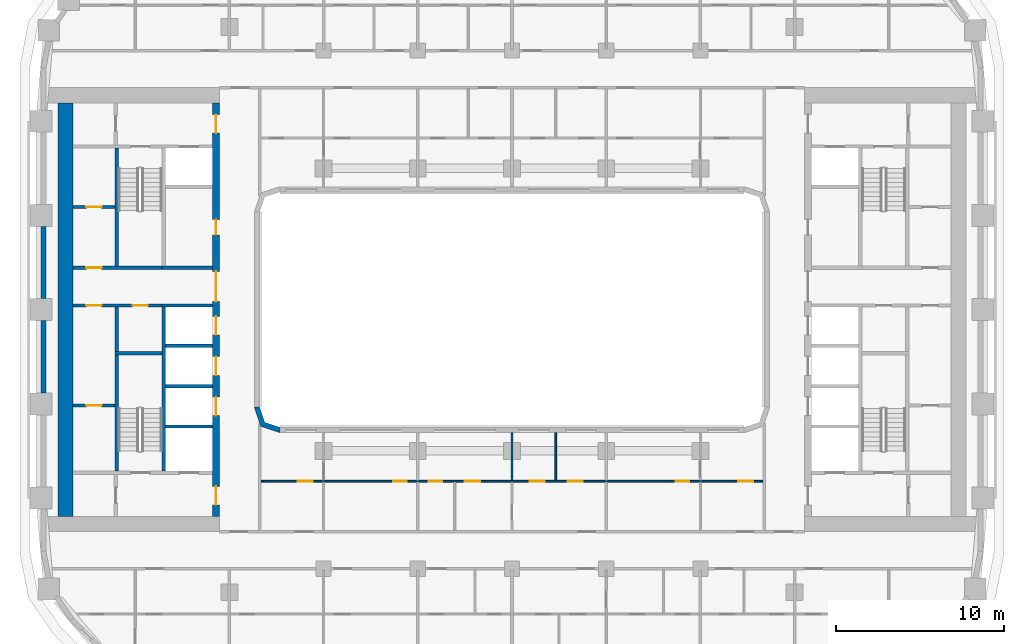
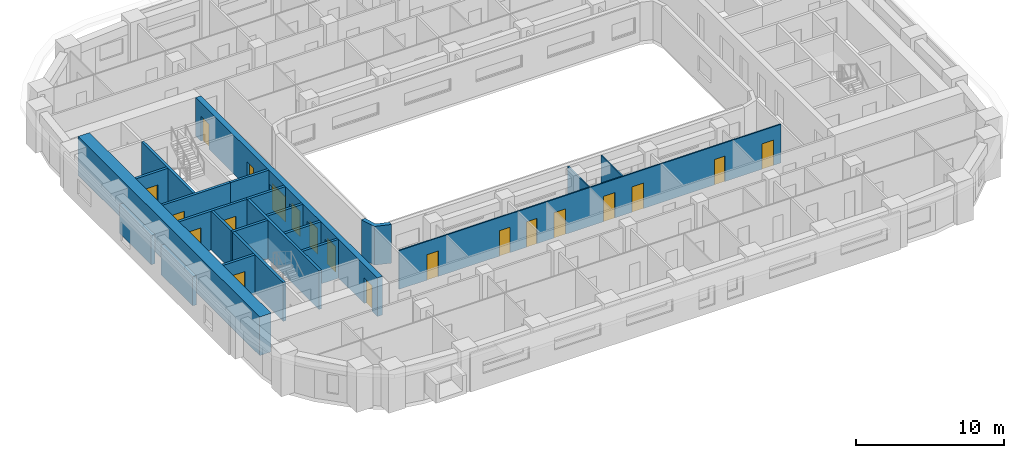
# One storey, part 4 of 21: 22 walls, 20 doors, 20 openings.
"""IFC4 building model written with IfcOpenShell, lengths in metres."""

from ifc_helpers import new_model, si_unit, direction, frame, frame_2d, origin, place, context, subcontext, project, spatial, polyline, rectangle, outline, extrude, material, layer, layer_set, type_object, element, fill, save


model = new_model("IFC4")

# Units and contexts
model_context = context("Model", 3, precision=1e-05, world=origin(), true_north=direction((0.0, 1.0)))
body_context = subcontext(model_context, "Body", "Model", "MODEL_VIEW")
ifc_project = project(units=[si_unit("LENGTHUNIT", "METRE"), si_unit("AREAUNIT", "SQUARE_METRE"), si_unit("VOLUMEUNIT", "CUBIC_METRE"), si_unit("PLANEANGLEUNIT", "RADIAN"), si_unit("MASSUNIT", "GRAM", prefix="KILO")], contexts=[model_context])

# Site, building, storey
site_placement = place(None, origin())
site = spatial("IfcSite", under=ifc_project, at=site_placement, CompositionType="ELEMENT")
building_placement = place(site_placement, origin())
building = spatial("IfcBuilding", under=site, at=building_placement, Name="Kiln Ring Residences", CompositionType="ELEMENT")
storey_placement = place(building_placement, frame((0.0, 0.0, 93.800048828125)))
storey = spatial("IfcBuildingStorey", under=building, at=storey_placement, Name="L23", CompositionType="ELEMENT", Elevation=93.800048828125)

# Wall
ifc_material_1 = material(Name="Gypsum board on steel studs", Category="steel")
ifc_layer_1 = layer(ifc_material_1, 0.199951171875)
ifc_layer_set_1 = layer_set([ifc_layer_1], Name="CORE-PARTITION-200")
wall_type_1 = type_object("IfcWallType", Name="CORE-PARTITION-200", PredefinedType="PARTITIONING", material=ifc_layer_set_1)
wall_1_placement = place(storey_placement, frame((-23.5, -2.5, 0.0), z_axis=(0.0, 0.0, 1.0), x_axis=(0.0, 1.0, 0.0)))
element("IfcWall", 1, at=wall_1_placement, inside=storey, type_object=wall_type_1, Name="Core partition west L23 1", PredefinedType="PARTITIONING", context=body_context, shape_type="SweptSolid", body=[
    extrude(rectangle(XDim=2.64990234375, YDim=0.199951171875, at=frame_2d((1.324951171875, 0.0))), origin(), (0.0, 0.0, 1.0), 3.199951171875),
])

# Wall, openings, doors
wall_2_placement = place(storey_placement, frame((-20.800048828125, 0.25, 0.0), z_axis=(0.0, 0.0, 1.0), x_axis=(-1.0, 0.0, 0.0)))
wall_2 = element("IfcWall", 2, at=wall_2_placement, inside=storey, type_object=wall_type_1, Name="Core partition west L23 2", PredefinedType="PARTITIONING", context=body_context, shape_type="SweptSolid", body=[
    extrude(rectangle(XDim=5.300048828125, YDim=0.199951171875, at=frame_2d((2.64990234375, 0.0))), origin(), (0.0, 0.0, 1.0), 3.199951171875),
])
opening_1_placement = place(wall_2_placement, frame((0.85009765625, 0.0, 0.0)))
opening_1 = element("IfcOpeningElement", 3, at=opening_1_placement, cuts=wall_2, Name="Opening L23-CW14", PredefinedType="OPENING", context=body_context, shape_type="SweptSolid", body=[
    extrude(rectangle(XDim=0.89990234375, YDim=2.10009765625, at=frame_2d((0.449951171875, 1.050048828125))), frame((0.0, 0.10986328125, 0.0), z_axis=(0.0, -1.0, 0.0), x_axis=(1.0, 0.0, 0.0)), (0.0, 0.0, 1.0), 0.219970703125),
])
opening_2_placement = place(wall_2_placement, frame((3.60009765625, 0.0, 0.0)))
opening_2 = element("IfcOpeningElement", 4, at=opening_2_placement, cuts=wall_2, Name="Opening L23-CW16", PredefinedType="OPENING", context=body_context, shape_type="SweptSolid", body=[
    extrude(rectangle(XDim=0.89990234375, YDim=2.10009765625, at=frame_2d((0.449951171875, 1.050048828125))), frame((0.0, 0.10986328125, 0.0), z_axis=(0.0, -1.0, 0.0), x_axis=(1.0, 0.0, 0.0)), (0.0, 0.0, 1.0), 0.219970703125),
])
ifc_material_2 = material(Name="Steel door leaf", Category="steel")
door_type_1 = type_object("IfcDoorType", Name="CORE-DOOR-ROOM", OperationType="SINGLE_SWING_LEFT", PredefinedType="DOOR", material=ifc_material_2)
door_1_placement = place(opening_1_placement, origin())
door_1 = element("IfcDoor", 5, at=door_1_placement, inside=storey, type_object=door_type_1, Name="Housekeeping store L23-CW14", OperationType="SINGLE_SWING_RIGHT", OverallHeight=2.10009765625, OverallWidth=0.89990234375, PredefinedType="DOOR", context=body_context, shape_type="SweptSolid", body=[
    extrude(rectangle(XDim=0.89990234375, YDim=2.10009765625, at=frame_2d((0.449951171875, 1.050048828125))), frame((0.0, 0.02490234375, 0.0), z_axis=(0.0, -1.0, 0.0), x_axis=(1.0, 0.0, 0.0)), (0.0, 0.0, 1.0), 0.050048828125),
])
fill(opening_1, door_1)
door_2_placement = place(opening_2_placement, origin())
door_2 = element("IfcDoor", 6, at=door_2_placement, inside=storey, type_object=door_type_1, Name="Battery room L23-CW16", OperationType="SINGLE_SWING_RIGHT", OverallHeight=2.10009765625, OverallWidth=0.89990234375, PredefinedType="DOOR", context=body_context, shape_type="SweptSolid", body=[
    extrude(rectangle(XDim=0.89990234375, YDim=2.10009765625, at=frame_2d((0.449951171875, 1.050048828125))), frame((0.0, 0.02490234375, 0.0), z_axis=(0.0, -1.0, 0.0), x_axis=(1.0, 0.0, 0.0)), (0.0, 0.0, 1.0), 0.050048828125),
])
fill(opening_2, door_2)

# Wall, opening, door
wall_3_placement = place(storey_placement, frame((-23.60009765625, -5.699951171875, 0.0), z_axis=(0.0, 0.0, 1.0), x_axis=(-1.0, 0.0, 0.0)))
wall_3 = element("IfcWall", 7, at=wall_3_placement, inside=storey, type_object=wall_type_1, Name="Core partition west L23 5", PredefinedType="PARTITIONING", context=body_context, shape_type="SweptSolid", body=[
    extrude(rectangle(XDim=2.5, YDim=0.199951171875, at=frame_2d((1.25, 0.0))), origin(), (0.0, 0.0, 1.0), 3.199951171875),
])
opening_3_placement = place(wall_3_placement, frame((0.800048828125, 0.0, 0.0)))
opening_3 = element("IfcOpeningElement", 8, at=opening_3_placement, cuts=wall_3, Name="Opening L23-CW15", PredefinedType="OPENING", context=body_context, shape_type="SweptSolid", body=[
    extrude(rectangle(XDim=0.89990234375, YDim=2.10009765625, at=frame_2d((0.449951171875, 1.050048828125))), frame((0.0, 0.10986328125, 0.0), z_axis=(0.0, -1.0, 0.0), x_axis=(1.0, 0.0, 0.0)), (0.0, 0.0, 1.0), 0.219970703125),
])
door_3_placement = place(opening_3_placement, origin())
door_3 = element("IfcDoor", 9, at=door_3_placement, inside=storey, type_object=door_type_1, Name="Battery room L23-CW15", OperationType="SINGLE_SWING_RIGHT", OverallHeight=2.10009765625, OverallWidth=0.89990234375, PredefinedType="DOOR", context=body_context, shape_type="SweptSolid", body=[
    extrude(rectangle(XDim=0.89990234375, YDim=2.10009765625, at=frame_2d((0.449951171875, 1.050048828125))), frame((0.0, 0.02490234375, 0.0), z_axis=(0.0, -1.0, 0.0), x_axis=(1.0, 0.0, 0.0)), (0.0, 0.0, 1.0), 0.050048828125),
])
fill(opening_3, door_3)

wall_4_placement = place(storey_placement, frame((-23.60009765625, 6.10009765625, 0.0), z_axis=(0.0, 0.0, 1.0), x_axis=(-1.0, 0.0, 0.0)))
wall_4 = element("IfcWall", 10, at=wall_4_placement, inside=storey, type_object=wall_type_1, Name="Core partition west L23 6", PredefinedType="PARTITIONING", context=body_context, shape_type="SweptSolid", body=[
    extrude(rectangle(XDim=2.5, YDim=0.199951171875, at=frame_2d((1.25, 0.0))), origin(), (0.0, 0.0, 1.0), 3.199951171875),
])
opening_4_placement = place(wall_4_placement, frame((0.800048828125, 0.0, 0.0)))
opening_4 = element("IfcOpeningElement", 11, at=opening_4_placement, cuts=wall_4, Name="Opening L23-CW17", PredefinedType="OPENING", context=body_context, shape_type="SweptSolid", body=[
    extrude(rectangle(XDim=0.89990234375, YDim=2.10009765625, at=frame_2d((0.449951171875, 1.050048828125))), frame((0.0, 0.10986328125, 0.0), z_axis=(0.0, -1.0, 0.0), x_axis=(1.0, 0.0, 0.0)), (0.0, 0.0, 1.0), 0.219970703125),
])
door_4_placement = place(opening_4_placement, origin())
door_4 = element("IfcDoor", 12, at=door_4_placement, inside=storey, type_object=door_type_1, Name="Electrical plant room L23-CW17", OperationType="SINGLE_SWING_RIGHT", OverallHeight=2.10009765625, OverallWidth=0.89990234375, PredefinedType="DOOR", context=body_context, shape_type="SweptSolid", body=[
    extrude(rectangle(XDim=0.89990234375, YDim=2.10009765625, at=frame_2d((0.449951171875, 1.050048828125))), frame((0.0, 0.02490234375, 0.0), z_axis=(0.0, -1.0, 0.0), x_axis=(1.0, 0.0, 0.0)), (0.0, 0.0, 1.0), 0.050048828125),
])
fill(opening_4, door_4)

# Walls
ifc_material_3 = material(Name="Gypsum shaft wall system")
ifc_layer_2 = layer(ifc_material_3, 0.199951171875)
ifc_layer_set_2 = layer_set([ifc_layer_2], Name="CORE-SHAFT-WALL-200")
wall_type_2 = type_object("IfcWallType", Name="CORE-SHAFT-WALL-200", PredefinedType="PARTITIONING", material=ifc_layer_set_2)
for number, where, z_axis, x_axis, name in (
    (13, (-17.800048828125, -6.949951171875, 0.0), (0.0, 0.0, 1.0), (-1.0, 0.0, 0.0), "Core partition west L23 7"),
    (14, (-17.800048828125, -4.550048828125, 0.0), (0.0, 0.0, 1.0), (-1.0, 0.0, 0.0), "Core partition west L23 8"),
    (15, (-17.800048828125, -2.14990234375, 0.0), (0.0, 0.0, 1.0), (-1.0, 0.0, 0.0), "Core partition west L23 9"),
):
    element("IfcWall", number, at=place(storey_placement, frame(where, z_axis=z_axis, x_axis=x_axis)), inside=storey, type_object=wall_type_2, Name=name, PredefinedType="PARTITIONING", context=body_context, shape_type="SweptSolid", body=[
        extrude(rectangle(XDim=2.800048828125, YDim=0.199951171875, at=frame_2d((1.39990234375, 0.0))), origin(), (0.0, 0.0, 1.0), 3.199951171875),
    ])
for number, where, z_axis, x_axis, name in (
    (16, (-17.800048828125, 0.25, 0.0), (0.0, 0.0, 1.0), (-1.0, 0.0, 0.0), "Core partition west L23 10"),
    (17, (-17.800048828125, 2.5, 0.0), (0.0, 0.0, 1.0), (-1.0, 0.0, 0.0), "Core partition west L23 11"),
):
    element("IfcWall", number, at=place(storey_placement, frame(where, z_axis=z_axis, x_axis=x_axis)), inside=storey, type_object=wall_type_2, Name=name, PredefinedType="PARTITIONING", context=body_context, shape_type="SweptSolid", body=[
        extrude(rectangle(XDim=3.0, YDim=0.199951171875, at=frame_2d((1.5, 0.0))), origin(), (0.0, 0.0, 1.0), 3.199951171875),
    ])
ifc_material_4 = material(Name="Concrete C40/50", Category="concrete")
ifc_layer_3 = layer(ifc_material_4, 0.199951171875)
ifc_layer_set_3 = layer_set([ifc_layer_3], Name="CORE-WALL-RC200")
wall_type_3 = type_object("IfcWallType", Name="CORE-WALL-RC200", PredefinedType="SHEAR", material=ifc_layer_set_3)
wall_5_placement = place(storey_placement, frame((-20.699951171875, -9.60009765625, 0.0), z_axis=(0.0, 0.0, 1.0), x_axis=(0.0, 1.0, 0.0)))
element("IfcWall", 18, at=wall_5_placement, inside=storey, type_object=wall_type_3, Name="Core wall west L23 2", PredefinedType="SHEAR", context=body_context, shape_type="SweptSolid", body=[
    extrude(rectangle(XDim=9.75, YDim=0.199951171875, at=frame_2d((4.875, 0.0))), origin(), (0.0, 0.0, 1.0), 3.199951171875),
])

# Wall, opening, door
wall_6_placement = place(storey_placement, frame((-20.800048828125, 2.5, 0.0), z_axis=(0.0, 0.0, 1.0), x_axis=(-1.0, 0.0, 0.0)))
wall_6 = element("IfcWall", 19, at=wall_6_placement, inside=storey, type_object=wall_type_3, Name="Core wall west L23 3", PredefinedType="SHEAR", context=body_context, shape_type="SweptSolid", body=[
    extrude(rectangle(XDim=5.300048828125, YDim=0.199951171875, at=frame_2d((2.64990234375, 0.0))), origin(), (0.0, 0.0, 1.0), 3.199951171875),
])
opening_5_placement = place(wall_6_placement, frame((3.60009765625, 0.0, 0.0)))
opening_5 = element("IfcOpeningElement", 20, at=opening_5_placement, cuts=wall_6, Name="Opening L23-CW18", PredefinedType="OPENING", context=body_context, shape_type="SweptSolid", body=[
    extrude(rectangle(XDim=0.89990234375, YDim=2.10009765625, at=frame_2d((0.449951171875, 1.050048828125))), frame((0.0, 0.10986328125, 0.0), z_axis=(0.0, -1.0, 0.0), x_axis=(1.0, 0.0, 0.0)), (0.0, 0.0, 1.0), 0.219970703125),
])
door_5_placement = place(opening_5_placement, origin())
door_5 = element("IfcDoor", 21, at=door_5_placement, inside=storey, type_object=door_type_1, Name="Comms room L23-CW18", OperationType="SINGLE_SWING_LEFT", OverallHeight=2.10009765625, OverallWidth=0.89990234375, PredefinedType="DOOR", context=body_context, shape_type="SweptSolid", body=[
    extrude(rectangle(XDim=0.89990234375, YDim=2.10009765625, at=frame_2d((0.449951171875, 1.050048828125))), frame((0.0, 0.02490234375, 0.0), z_axis=(0.0, -1.0, 0.0), x_axis=(1.0, 0.0, 0.0)), (0.0, 0.0, 1.0), 0.050048828125),
])
fill(opening_5, door_5)

# Walls
wall_7_placement = place(storey_placement, frame((-23.5, 2.60009765625, 0.0), z_axis=(0.0, 0.0, 1.0), x_axis=(0.0, 1.0, 0.0)))
element("IfcWall", 22, at=wall_7_placement, inside=storey, type_object=wall_type_3, Name="Core wall west L23 10", PredefinedType="SHEAR", context=body_context, shape_type="SweptSolid", body=[
    extrude(rectangle(XDim=7.0, YDim=0.199951171875, at=frame_2d((3.5, 0.0))), origin(), (0.0, 0.0, 1.0), 3.199951171875),
])
wall_8_placement = place(storey_placement, frame((-23.5, -9.60009765625, 0.0), z_axis=(0.0, 0.0, 1.0), x_axis=(0.0, 1.0, 0.0)))
element("IfcWall", 23, at=wall_8_placement, inside=storey, type_object=wall_type_3, Name="Core wall west L23 11", PredefinedType="SHEAR", context=body_context, shape_type="SweptSolid", body=[
    extrude(rectangle(XDim=6.900146484375, YDim=0.199951171875, at=frame_2d((3.4501953125, 0.0))), origin(), (0.0, 0.0, 1.0), 3.199951171875),
])
wall_9_placement = place(storey_placement, frame((-20.800048828125, -2.60009765625, 0.0), z_axis=(0.0, 0.0, 1.0), x_axis=(-1.0, 0.0, 0.0)))
element("IfcWall", 24, at=wall_9_placement, inside=storey, type_object=wall_type_3, Name="Core wall west L23 12", PredefinedType="SHEAR", context=body_context, shape_type="SweptSolid", body=[
    extrude(rectangle(XDim=2.800048828125, YDim=0.199951171875, at=frame_2d((1.39990234375, 0.0))), origin(), (0.0, 0.0, 1.0), 3.199951171875),
])

# Wall, openings, doors
ifc_material_5 = material(Name="Concrete C60/75", Category="concrete")
ifc_layer_4 = layer(ifc_material_5, 0.39990234375)
ifc_layer_set_4 = layer_set([ifc_layer_4], Name="CORE-WALL-RC400")
wall_type_4 = type_object("IfcWallType", Name="CORE-WALL-RC400", PredefinedType="SHEAR", material=ifc_layer_set_4)
wall_10_placement = place(storey_placement, frame((-17.60009765625, -12.300048828125, 0.0), z_axis=(0.0, 0.0, 1.0), x_axis=(0.0, 1.0, 0.0)))
wall_10 = element("IfcWall", 25, at=wall_10_placement, inside=storey, type_object=wall_type_4, Name="Core wall west L23 6", PredefinedType="SHEAR", context=body_context, shape_type="SweptSolid", body=[
    extrude(rectangle(XDim=24.60009765625, YDim=0.39990234375, at=frame_2d((12.300048828125, 0.0))), origin(), (0.0, 0.0, 1.0), 3.199951171875),
])
opening_6_placement = place(wall_10_placement, frame((6.0, 0.0, 0.0)))
opening_6 = element("IfcOpeningElement", 26, at=opening_6_placement, cuts=wall_10, Name="Opening L23-CW02", PredefinedType="OPENING", context=body_context, shape_type="SweptSolid", body=[
    extrude(rectangle(XDim=1.10009765625, YDim=2.10009765625, at=frame_2d((0.550048828125, 1.050048828125))), frame((0.0, 0.2099609375, 0.0), z_axis=(0.0, -1.0, 0.0), x_axis=(1.0, 0.0, 0.0)), (0.0, 0.0, 1.0), 0.419921875),
])
opening_7_placement = place(wall_10_placement, frame((8.39990234375, 0.0, 0.0)))
opening_7 = element("IfcOpeningElement", 27, at=opening_7_placement, cuts=wall_10, Name="Opening L23-CW03", PredefinedType="OPENING", context=body_context, shape_type="SweptSolid", body=[
    extrude(rectangle(XDim=1.10009765625, YDim=2.10009765625, at=frame_2d((0.550048828125, 1.050048828125))), frame((0.0, 0.2099609375, 0.0), z_axis=(0.0, -1.0, 0.0), x_axis=(1.0, 0.0, 0.0)), (0.0, 0.0, 1.0), 0.419921875),
])
opening_8_placement = place(wall_10_placement, frame((10.800048828125, 0.0, 0.0)))
opening_8 = element("IfcOpeningElement", 28, at=opening_8_placement, cuts=wall_10, Name="Opening L23-CW04", PredefinedType="OPENING", context=body_context, shape_type="SweptSolid", body=[
    extrude(rectangle(XDim=1.10009765625, YDim=2.10009765625, at=frame_2d((0.550048828125, 1.050048828125))), frame((0.0, 0.2099609375, 0.0), z_axis=(0.0, -1.0, 0.0), x_axis=(1.0, 0.0, 0.0)), (0.0, 0.0, 1.0), 0.419921875),
])
opening_9_placement = place(wall_10_placement, frame((16.75, 0.0, 0.0)))
opening_9 = element("IfcOpeningElement", 29, at=opening_9_placement, cuts=wall_10, Name="Opening L23-CW05", PredefinedType="OPENING", context=body_context, shape_type="SweptSolid", body=[
    extrude(rectangle(XDim=0.89990234375, YDim=2.10009765625, at=frame_2d((0.449951171875, 1.050048828125))), frame((0.0, 0.2099609375, 0.0), z_axis=(0.0, -1.0, 0.0), x_axis=(1.0, 0.0, 0.0)), (0.0, 0.0, 1.0), 0.419921875),
])
opening_10_placement = place(wall_10_placement, frame((22.800048828125, 0.0, 0.0)))
opening_10 = element("IfcOpeningElement", 30, at=opening_10_placement, cuts=wall_10, Name="Opening L23-CW07", PredefinedType="OPENING", context=body_context, shape_type="SweptSolid", body=[
    extrude(rectangle(XDim=1.10009765625, YDim=2.10009765625, at=frame_2d((0.550048828125, 1.050048828125))), frame((0.0, 0.2099609375, 0.0), z_axis=(0.0, -1.0, 0.0), x_axis=(1.0, 0.0, 0.0)), (0.0, 0.0, 1.0), 0.419921875),
])
opening_11_placement = place(wall_10_placement, frame((0.699951171875, 0.0, 0.0)))
opening_11 = element("IfcOpeningElement", 31, at=opening_11_placement, cuts=wall_10, Name="Opening L23-CW08", PredefinedType="OPENING", context=body_context, shape_type="SweptSolid", body=[
    extrude(rectangle(XDim=1.10009765625, YDim=2.10009765625, at=frame_2d((0.550048828125, 1.050048828125))), frame((0.0, 0.2099609375, 0.0), z_axis=(0.0, -1.0, 0.0), x_axis=(1.0, 0.0, 0.0)), (0.0, 0.0, 1.0), 0.419921875),
])
opening_12_placement = place(wall_10_placement, frame((12.77490234375, 0.0, 0.0)))
opening_12 = element("IfcOpeningElement", 32, at=opening_12_placement, cuts=wall_10, Name="Opening L23-CW13", PredefinedType="OPENING", context=body_context, shape_type="SweptSolid", body=[
    extrude(rectangle(XDim=1.800048828125, YDim=2.10009765625, at=frame_2d((0.89990234375, 1.050048828125))), frame((0.0, 0.2099609375, 0.0), z_axis=(0.0, -1.0, 0.0), x_axis=(1.0, 0.0, 0.0)), (0.0, 0.0, 1.0), 0.419921875),
])
ifc_material_6 = material(Name="Steel door leaf", Category="steel")
door_type_2 = type_object("IfcDoorType", Name="CORE-DOOR-LD", OperationType="DOUBLE_DOOR_SLIDING", PredefinedType="DOOR", material=ifc_material_6)
door_6_placement = place(opening_6_placement, origin())
door_6 = element("IfcDoor", 33, at=door_6_placement, inside=storey, type_object=door_type_2, Name="LD W-L1 L23-CW02", OperationType="DOUBLE_DOOR_SLIDING", OverallHeight=2.10009765625, OverallWidth=1.10009765625, PredefinedType="DOOR", context=body_context, shape_type="SweptSolid", body=[
    extrude(rectangle(XDim=1.10009765625, YDim=2.10009765625, at=frame_2d((0.550048828125, 1.050048828125))), frame((0.0, 0.02490234375, 0.0), z_axis=(0.0, -1.0, 0.0), x_axis=(1.0, 0.0, 0.0)), (0.0, 0.0, 1.0), 0.050048828125),
])
fill(opening_6, door_6)
door_7_placement = place(opening_7_placement, origin())
door_7 = element("IfcDoor", 34, at=door_7_placement, inside=storey, type_object=door_type_2, Name="LD W-L2 L23-CW03", OperationType="DOUBLE_DOOR_SLIDING", OverallHeight=2.10009765625, OverallWidth=1.10009765625, PredefinedType="DOOR", context=body_context, shape_type="SweptSolid", body=[
    extrude(rectangle(XDim=1.10009765625, YDim=2.10009765625, at=frame_2d((0.550048828125, 1.050048828125))), frame((0.0, 0.02490234375, 0.0), z_axis=(0.0, -1.0, 0.0), x_axis=(1.0, 0.0, 0.0)), (0.0, 0.0, 1.0), 0.050048828125),
])
fill(opening_7, door_7)
door_8_placement = place(opening_8_placement, origin())
door_8 = element("IfcDoor", 35, at=door_8_placement, inside=storey, type_object=door_type_2, Name="LD W-L3 L23-CW04", OperationType="DOUBLE_DOOR_SLIDING", OverallHeight=2.10009765625, OverallWidth=1.10009765625, PredefinedType="DOOR", context=body_context, shape_type="SweptSolid", body=[
    extrude(rectangle(XDim=1.10009765625, YDim=2.10009765625, at=frame_2d((0.550048828125, 1.050048828125))), frame((0.0, 0.02490234375, 0.0), z_axis=(0.0, -1.0, 0.0), x_axis=(1.0, 0.0, 0.0)), (0.0, 0.0, 1.0), 0.050048828125),
])
fill(opening_8, door_8)
ifc_material_7 = material(Name="Steel door leaf", Category="steel")
door_type_3 = type_object("IfcDoorType", Name="CORE-DOOR-LOBBY", OperationType="SINGLE_SWING_LEFT", PredefinedType="DOOR", material=ifc_material_7)
door_9_placement = place(opening_10_placement, origin())
door_9 = element("IfcDoor", 36, at=door_9_placement, inside=storey, type_object=door_type_3, Name="FFL L23-CW07", OperationType="SINGLE_SWING_RIGHT", OverallHeight=2.10009765625, OverallWidth=1.10009765625, PredefinedType="DOOR", context=body_context, shape_type="SweptSolid", body=[
    extrude(rectangle(XDim=1.10009765625, YDim=2.10009765625, at=frame_2d((0.550048828125, 1.050048828125))), frame((0.0, 0.02490234375, 0.0), z_axis=(0.0, -1.0, 0.0), x_axis=(1.0, 0.0, 0.0)), (0.0, 0.0, 1.0), 0.050048828125),
])
fill(opening_10, door_9)
door_10_placement = place(opening_11_placement, origin())
door_10 = element("IfcDoor", 37, at=door_10_placement, inside=storey, type_object=door_type_3, Name="SVL L23-CW08", OperationType="SINGLE_SWING_LEFT", OverallHeight=2.10009765625, OverallWidth=1.10009765625, PredefinedType="DOOR", context=body_context, shape_type="SweptSolid", body=[
    extrude(rectangle(XDim=1.10009765625, YDim=2.10009765625, at=frame_2d((0.550048828125, 1.050048828125))), frame((0.0, 0.02490234375, 0.0), z_axis=(0.0, -1.0, 0.0), x_axis=(1.0, 0.0, 0.0)), (0.0, 0.0, 1.0), 0.050048828125),
])
fill(opening_11, door_10)
ifc_material_8 = material(Name="Steel door leaf", Category="steel")
door_type_4 = type_object("IfcDoorType", Name="CORE-DOOR-PASS", OperationType="DOUBLE_DOOR_SINGLE_SWING", PredefinedType="DOOR", material=ifc_material_8)
door_11_placement = place(opening_12_placement, origin())
door_11 = element("IfcDoor", 38, at=door_11_placement, inside=storey, type_object=door_type_4, Name="Core passage L23-CW13", OperationType="DOUBLE_DOOR_SINGLE_SWING", OverallHeight=2.10009765625, OverallWidth=1.800048828125, PredefinedType="DOOR", context=body_context, shape_type="SweptSolid", body=[
    extrude(rectangle(XDim=1.800048828125, YDim=2.10009765625, at=frame_2d((0.89990234375, 1.050048828125))), frame((0.0, 0.02490234375, 0.0), z_axis=(0.0, -1.0, 0.0), x_axis=(1.0, 0.0, 0.0)), (0.0, 0.0, 1.0), 0.050048828125),
])
fill(opening_12, door_11)
door_12_placement = place(opening_9_placement, origin())
door_12 = element("IfcDoor", 39, at=door_12_placement, inside=storey, type_object=door_type_1, Name="Locker store L23-CW05", OperationType="SINGLE_SWING_LEFT", OverallHeight=2.10009765625, OverallWidth=0.89990234375, PredefinedType="DOOR", context=body_context, shape_type="SweptSolid", body=[
    extrude(rectangle(XDim=0.89990234375, YDim=2.10009765625, at=frame_2d((0.449951171875, 1.050048828125))), frame((0.0, 0.02490234375, 0.0), z_axis=(0.0, -1.0, 0.0), x_axis=(1.0, 0.0, 0.0)), (0.0, 0.0, 1.0), 0.050048828125),
])
fill(opening_9, door_12)

# Walls
ifc_material_9 = material(Name="Concrete C60/75", Category="concrete")
ifc_layer_5 = layer(ifc_material_9, 0.89990234375)
ifc_layer_set_5 = layer_set([ifc_layer_5], Name="CORE-WALL-RC900")
wall_type_5 = type_object("IfcWallType", Name="CORE-WALL-RC900", PredefinedType="SHEAR", material=ifc_layer_set_5)
wall_11_placement = place(storey_placement, frame((-26.550048828125, -12.300048828125, 0.0), z_axis=(0.0, 0.0, 1.0), x_axis=(0.0, 1.0, 0.0)))
element("IfcWall", 40, at=wall_11_placement, inside=storey, type_object=wall_type_5, Name="Core wall west L23 7", PredefinedType="SHEAR", context=body_context, shape_type="SweptSolid", body=[
    extrude(rectangle(XDim=24.60009765625, YDim=0.89990234375, at=frame_2d((12.300048828125, 0.0))), origin(), (0.0, 0.0, 1.0), 3.199951171875),
])
ifc_material_10 = material(Name="Brick masonry, dark clay brick", Category="masonry")
ifc_layer_6 = layer(ifc_material_10, 0.300048828125)
ifc_layer_set_6 = layer_set([ifc_layer_6], Name="EW-300 BRICK WALL")
wall_type_6 = type_object("IfcWallType", Name="EW-300 BRICK WALL", PredefinedType="SOLIDWALL", material=ifc_layer_set_6)
for number, where, z_axis, x_axis, name in (
    (41, (-27.85009765625, 4.949951171875, 0.0), (0.0, 0.0, 1.0), (0.0, -1.0, 0.0), "Facade wall L23 43"),
    (42, (-27.85009765625, -0.64990234375, 0.0), (0.0, 0.0, 1.0), (0.0, -1.0, 0.0), "Facade wall L23 44"),
):
    element("IfcWall", number, at=place(storey_placement, frame(where, z_axis=z_axis, x_axis=x_axis)), inside=storey, type_object=wall_type_6, Name=name, PredefinedType="SOLIDWALL", context=body_context, shape_type="SweptSolid", body=[
        extrude(rectangle(XDim=4.300048828125, YDim=0.300048828125, at=frame_2d((2.14990234375, 0.0))), origin(), (0.0, 0.0, 1.0), 2.39990234375),
    ])
wall_12_placement = place(storey_placement, origin())
element("IfcWall", 43, at=wall_12_placement, inside=storey, type_object=wall_type_6, Name="Corner wall L23 4", PredefinedType="SOLIDWALL", context=body_context, shape_type="SweptSolid", body=[
    extrude(outline(polyline([(-14.937255859375, -6.937255859375), (-13.8486328125, -7.300048828125), (-13.800048828125, -7.300048828125), (-13.800048828125, -7.0), (-14.699951171875, -6.699951171875), (-15.0, -5.800048828125), (-15.300048828125, -5.800048828125), (-15.300048828125, -5.8486328125), (-14.937255859375, -6.937255859375)])), origin(), (0.0, 0.0, 1.0), 3.199951171875),
])

# Wall, openings, doors
ifc_material_11 = material(Name="Gypsum board on steel studs", Category="steel")
ifc_layer_7 = layer(ifc_material_11, 0.10009765625)
ifc_layer_set_7 = layer_set([ifc_layer_7], Name="PARTITION-100")
wall_type_7 = type_object("IfcWallType", Name="PARTITION-100", PredefinedType="PARTITIONING", material=ifc_layer_set_7)
wall_13_placement = place(storey_placement, frame((-14.925048828125, -10.199951171875, 0.0), z_axis=(0.0, 0.0, 1.0), x_axis=(1.0, 0.0, 0.0)))
wall_13 = element("IfcWall", 44, at=wall_13_placement, inside=storey, type_object=wall_type_7, Name="Partition 003", PredefinedType="PARTITIONING", context=body_context, shape_type="SweptSolid", body=[
    extrude(rectangle(XDim=29.85009765625, YDim=0.10009765625, at=frame_2d((14.925048828125, 0.0))), origin(), (0.0, 0.0, 1.0), 3.199951171875),
])
opening_13_placement = place(wall_13_placement, frame((7.875, 0.0, 0.0)))
opening_13 = element("IfcOpeningElement", 45, at=opening_13_placement, cuts=wall_13, Name="Opening L23-D044", PredefinedType="OPENING", context=body_context, shape_type="SweptSolid", body=[
    extrude(rectangle(XDim=0.800048828125, YDim=2.10009765625, at=frame_2d((0.39990234375, 1.050048828125))), frame((0.0, 0.06005859375, 0.0), z_axis=(0.0, -1.0, 0.0), x_axis=(1.0, 0.0, 0.0)), (0.0, 0.0, 1.0), 0.1201171875),
])
opening_14_placement = place(wall_13_placement, frame((2.175048828125, 0.0, 0.0)))
opening_14 = element("IfcOpeningElement", 46, at=opening_14_placement, cuts=wall_13, Name="Opening L23-D045", PredefinedType="OPENING", context=body_context, shape_type="SweptSolid", body=[
    extrude(rectangle(XDim=0.89990234375, YDim=2.10009765625, at=frame_2d((0.449951171875, 1.050048828125))), frame((0.0, 0.06005859375, 0.0), z_axis=(0.0, -1.0, 0.0), x_axis=(1.0, 0.0, 0.0)), (0.0, 0.0, 1.0), 0.1201171875),
])
opening_15_placement = place(wall_13_placement, frame((9.97509765625, 0.0, 0.0)))
opening_15 = element("IfcOpeningElement", 47, at=opening_15_placement, cuts=wall_13, Name="Opening L23-D049", PredefinedType="OPENING", context=body_context, shape_type="SweptSolid", body=[
    extrude(rectangle(XDim=0.800048828125, YDim=2.10009765625, at=frame_2d((0.39990234375, 1.050048828125))), frame((0.0, 0.06005859375, 0.0), z_axis=(0.0, -1.0, 0.0), x_axis=(1.0, 0.0, 0.0)), (0.0, 0.0, 1.0), 0.1201171875),
])
opening_16_placement = place(wall_13_placement, frame((12.125, 0.0, 0.0)))
opening_16 = element("IfcOpeningElement", 48, at=opening_16_placement, cuts=wall_13, Name="Opening L23-D050", PredefinedType="OPENING", context=body_context, shape_type="SweptSolid", body=[
    extrude(rectangle(XDim=0.89990234375, YDim=2.10009765625, at=frame_2d((0.449951171875, 1.050048828125))), frame((0.0, 0.06005859375, 0.0), z_axis=(0.0, -1.0, 0.0), x_axis=(1.0, 0.0, 0.0)), (0.0, 0.0, 1.0), 0.1201171875),
])
opening_17_placement = place(wall_13_placement, frame((15.97509765625, 0.0, 0.0)))
opening_17 = element("IfcOpeningElement", 49, at=opening_17_placement, cuts=wall_13, Name="Opening L23-D051", PredefinedType="OPENING", context=body_context, shape_type="SweptSolid", body=[
    extrude(rectangle(XDim=0.89990234375, YDim=2.10009765625, at=frame_2d((0.449951171875, 1.050048828125))), frame((0.0, 0.06005859375, 0.0), z_axis=(0.0, -1.0, 0.0), x_axis=(1.0, 0.0, 0.0)), (0.0, 0.0, 1.0), 0.1201171875),
])
opening_18_placement = place(wall_13_placement, frame((18.22509765625, 0.0, 0.0)))
opening_18 = element("IfcOpeningElement", 50, at=opening_18_placement, cuts=wall_13, Name="Opening L23-D052", PredefinedType="OPENING", context=body_context, shape_type="SweptSolid", body=[
    extrude(rectangle(XDim=0.89990234375, YDim=2.10009765625, at=frame_2d((0.449951171875, 1.050048828125))), frame((0.0, 0.06005859375, 0.0), z_axis=(0.0, -1.0, 0.0), x_axis=(1.0, 0.0, 0.0)), (0.0, 0.0, 1.0), 0.1201171875),
])
opening_19_placement = place(wall_13_placement, frame((24.675048828125, 0.0, 0.0)))
opening_19 = element("IfcOpeningElement", 51, at=opening_19_placement, cuts=wall_13, Name="Opening L23-D054", PredefinedType="OPENING", context=body_context, shape_type="SweptSolid", body=[
    extrude(rectangle(XDim=0.800048828125, YDim=2.10009765625, at=frame_2d((0.39990234375, 1.050048828125))), frame((0.0, 0.06005859375, 0.0), z_axis=(0.0, -1.0, 0.0), x_axis=(1.0, 0.0, 0.0)), (0.0, 0.0, 1.0), 0.1201171875),
])
opening_20_placement = place(wall_13_placement, frame((28.375, 0.0, 0.0)))
opening_20 = element("IfcOpeningElement", 52, at=opening_20_placement, cuts=wall_13, Name="Opening L23-D055", PredefinedType="OPENING", context=body_context, shape_type="SweptSolid", body=[
    extrude(rectangle(XDim=0.89990234375, YDim=2.10009765625, at=frame_2d((0.449951171875, 1.050048828125))), frame((0.0, 0.06005859375, 0.0), z_axis=(0.0, -1.0, 0.0), x_axis=(1.0, 0.0, 0.0)), (0.0, 0.0, 1.0), 0.1201171875),
])
ifc_material_12 = material(Name="Timber door leaf", Category="wood")
door_type_5 = type_object("IfcDoorType", Name="FLAT-DOOR-800-PL", OperationType="SINGLE_SWING_LEFT", PredefinedType="DOOR", material=ifc_material_12)
door_13_placement = place(opening_13_placement, origin())
door_13 = element("IfcDoor", 53, at=door_13_placement, inside=storey, type_object=door_type_5, Name="Door L23-D044", OperationType="SINGLE_SWING_RIGHT", OverallHeight=2.10009765625, OverallWidth=0.800048828125, PredefinedType="DOOR", context=body_context, shape_type="SweptSolid", body=[
    extrude(rectangle(XDim=0.800048828125, YDim=2.10009765625, at=frame_2d((0.39990234375, 1.050048828125))), frame((0.0, 0.02490234375, 0.0), z_axis=(0.0, -1.0, 0.0), x_axis=(1.0, 0.0, 0.0)), (0.0, 0.0, 1.0), 0.050048828125),
])
fill(opening_13, door_13)
door_14_placement = place(opening_15_placement, origin())
door_14 = element("IfcDoor", 54, at=door_14_placement, inside=storey, type_object=door_type_5, Name="Door L23-D049", OperationType="SINGLE_SWING_LEFT", OverallHeight=2.10009765625, OverallWidth=0.800048828125, PredefinedType="DOOR", context=body_context, shape_type="SweptSolid", body=[
    extrude(rectangle(XDim=0.800048828125, YDim=2.10009765625, at=frame_2d((0.39990234375, 1.050048828125))), frame((0.0, 0.02490234375, 0.0), z_axis=(0.0, -1.0, 0.0), x_axis=(1.0, 0.0, 0.0)), (0.0, 0.0, 1.0), 0.050048828125),
])
fill(opening_15, door_14)
door_15_placement = place(opening_19_placement, origin())
door_15 = element("IfcDoor", 55, at=door_15_placement, inside=storey, type_object=door_type_5, Name="Door L23-D054", OperationType="SINGLE_SWING_RIGHT", OverallHeight=2.10009765625, OverallWidth=0.800048828125, PredefinedType="DOOR", context=body_context, shape_type="SweptSolid", body=[
    extrude(rectangle(XDim=0.800048828125, YDim=2.10009765625, at=frame_2d((0.39990234375, 1.050048828125))), frame((0.0, 0.02490234375, 0.0), z_axis=(0.0, -1.0, 0.0), x_axis=(1.0, 0.0, 0.0)), (0.0, 0.0, 1.0), 0.050048828125),
])
fill(opening_19, door_15)
ifc_material_13 = material(Name="Timber door leaf", Category="wood")
door_type_6 = type_object("IfcDoorType", Name="FLAT-DOOR-900-PL", OperationType="SINGLE_SWING_LEFT", PredefinedType="DOOR", material=ifc_material_13)
door_16_placement = place(opening_14_placement, origin())
door_16 = element("IfcDoor", 56, at=door_16_placement, inside=storey, type_object=door_type_6, Name="Door L23-D045", OperationType="SINGLE_SWING_LEFT", OverallHeight=2.10009765625, OverallWidth=0.89990234375, PredefinedType="DOOR", context=body_context, shape_type="SweptSolid", body=[
    extrude(rectangle(XDim=0.89990234375, YDim=2.10009765625, at=frame_2d((0.449951171875, 1.050048828125))), frame((0.0, 0.02490234375, 0.0), z_axis=(0.0, -1.0, 0.0), x_axis=(1.0, 0.0, 0.0)), (0.0, 0.0, 1.0), 0.050048828125),
])
fill(opening_14, door_16)
door_17_placement = place(opening_16_placement, origin())
door_17 = element("IfcDoor", 57, at=door_17_placement, inside=storey, type_object=door_type_6, Name="Door L23-D050", OperationType="SINGLE_SWING_RIGHT", OverallHeight=2.10009765625, OverallWidth=0.89990234375, PredefinedType="DOOR", context=body_context, shape_type="SweptSolid", body=[
    extrude(rectangle(XDim=0.89990234375, YDim=2.10009765625, at=frame_2d((0.449951171875, 1.050048828125))), frame((0.0, 0.02490234375, 0.0), z_axis=(0.0, -1.0, 0.0), x_axis=(1.0, 0.0, 0.0)), (0.0, 0.0, 1.0), 0.050048828125),
])
fill(opening_16, door_17)
door_18_placement = place(opening_17_placement, origin())
door_18 = element("IfcDoor", 58, at=door_18_placement, inside=storey, type_object=door_type_6, Name="Door L23-D051", OperationType="SINGLE_SWING_LEFT", OverallHeight=2.10009765625, OverallWidth=0.89990234375, PredefinedType="DOOR", context=body_context, shape_type="SweptSolid", body=[
    extrude(rectangle(XDim=0.89990234375, YDim=2.10009765625, at=frame_2d((0.449951171875, 1.050048828125))), frame((0.0, 0.02490234375, 0.0), z_axis=(0.0, -1.0, 0.0), x_axis=(1.0, 0.0, 0.0)), (0.0, 0.0, 1.0), 0.050048828125),
])
fill(opening_17, door_18)
door_19_placement = place(opening_18_placement, origin())
door_19 = element("IfcDoor", 59, at=door_19_placement, inside=storey, type_object=door_type_6, Name="Door L23-D052", OperationType="SINGLE_SWING_RIGHT", OverallHeight=2.10009765625, OverallWidth=0.89990234375, PredefinedType="DOOR", context=body_context, shape_type="SweptSolid", body=[
    extrude(rectangle(XDim=0.89990234375, YDim=2.10009765625, at=frame_2d((0.449951171875, 1.050048828125))), frame((0.0, 0.02490234375, 0.0), z_axis=(0.0, -1.0, 0.0), x_axis=(1.0, 0.0, 0.0)), (0.0, 0.0, 1.0), 0.050048828125),
])
fill(opening_18, door_19)
door_20_placement = place(opening_20_placement, origin())
door_20 = element("IfcDoor", 60, at=door_20_placement, inside=storey, type_object=door_type_6, Name="Door L23-D055", OperationType="SINGLE_SWING_LEFT", OverallHeight=2.10009765625, OverallWidth=0.89990234375, PredefinedType="DOOR", context=body_context, shape_type="SweptSolid", body=[
    extrude(rectangle(XDim=0.89990234375, YDim=2.10009765625, at=frame_2d((0.449951171875, 1.050048828125))), frame((0.0, 0.02490234375, 0.0), z_axis=(0.0, -1.0, 0.0), x_axis=(1.0, 0.0, 0.0)), (0.0, 0.0, 1.0), 0.050048828125),
])
fill(opening_20, door_20)

# Walls
for number, where, z_axis, x_axis, name in (
    (61, (0.0, -10.14990234375, 0.0), (0.0, 0.0, 1.0), (0.0, 1.0, 0.0), "Partition 041"),
    (62, (2.60009765625, -10.14990234375, 0.0), (0.0, 0.0, 1.0), (0.0, 1.0, 0.0), "Partition 048"),
):
    element("IfcWall", number, at=place(storey_placement, frame(where, z_axis=z_axis, x_axis=x_axis)), inside=storey, type_object=wall_type_7, Name=name, PredefinedType="PARTITIONING", context=body_context, shape_type="SweptSolid", body=[
        extrude(rectangle(XDim=2.829833984375, YDim=0.10009765625, at=frame_2d((1.4150390625, 0.0))), origin(), (0.0, 0.0, 1.0), 3.199951171875),
    ])

save(model, "model.ifc")
